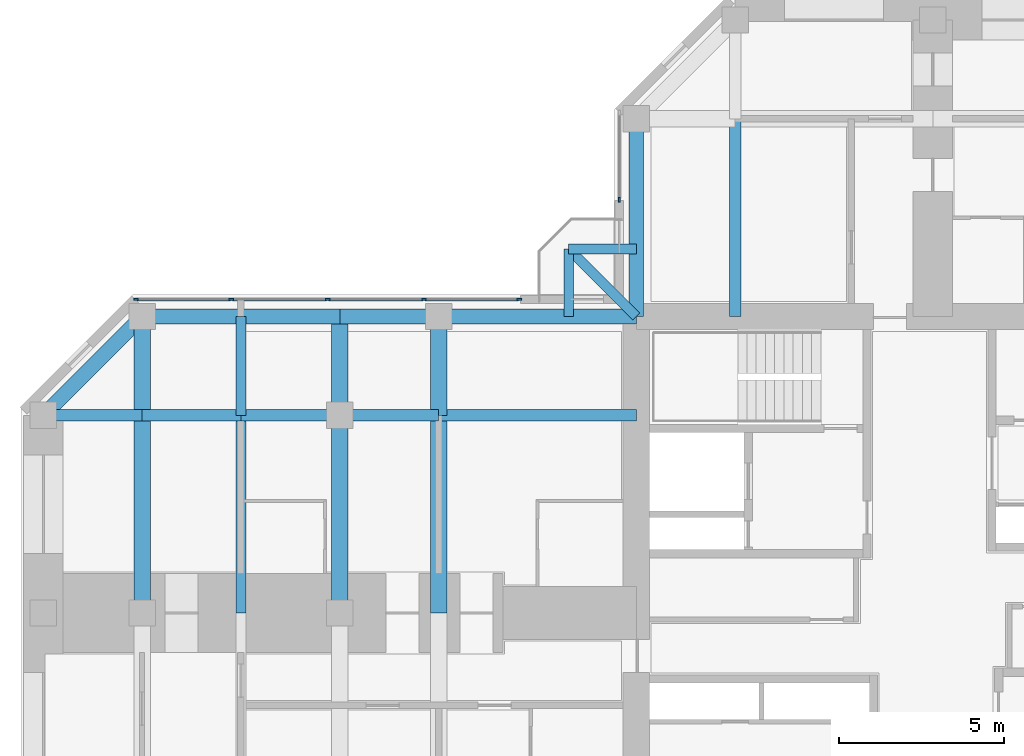
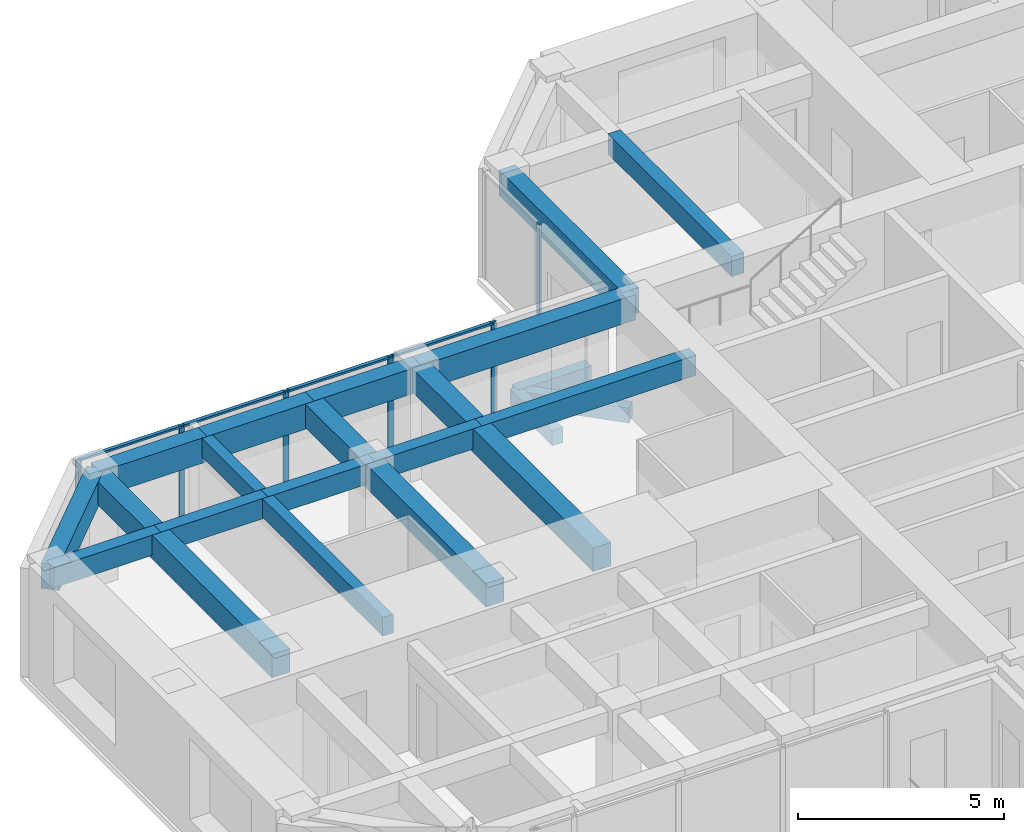
# One storey, part 4 of 13: 23 beams, 10 members, 2 elements without a shape of their own.
"""IFC4 building model written with IfcOpenShell, lengths in metres."""

from ifc_helpers import new_model, si_unit, direction, frame, origin, origin_2d, place, context, subcontext, project, spatial, rectangle, extrude, material, material_profile, profile_set, type_object, element, aggregate, save


model = new_model("IFC4")

# Units and contexts
model_context = context("Model", 3, precision=1e-05, world=origin(), true_north=direction((0.0, 1.0)))
body_context = subcontext(model_context, "Body", "Model", "MODEL_VIEW")
ifc_project = project(units=[si_unit("LENGTHUNIT", "METRE"), si_unit("AREAUNIT", "SQUARE_METRE"), si_unit("VOLUMEUNIT", "CUBIC_METRE"), si_unit("PLANEANGLEUNIT", "RADIAN"), si_unit("MASSUNIT", "GRAM", prefix="KILO")], contexts=[model_context])

# Site, building, storey
site_placement = place(None, origin())
site = spatial("IfcSite", under=ifc_project, at=site_placement, CompositionType="ELEMENT")
building_placement = place(site_placement, origin())
building = spatial("IfcBuilding", under=site, at=building_placement, Name="Torre Cruceta", CompositionType="ELEMENT")
storey_placement = place(building_placement, frame((0.0, 0.0, 245.89990234375)))
storey = spatial("IfcBuildingStorey", under=building, at=storey_placement, Name="L63", CompositionType="ELEMENT", Elevation=245.89990234375)

# Beams
ifc_material_1 = material(Name="Concrete G60 (fck 60 MPa)", Category="concrete")
ifc_material_profile_1 = material_profile(ifc_material_1, rectangle(XDim=0.300048828125, YDim=0.449951171875, at=origin_2d()), Name="RC 300X450")
ifc_profile_set_1 = profile_set([ifc_material_profile_1], Name="Concrete G60 (fck 60 MPa)")
beam_type_1 = type_object("IfcBeamType", Name="BALCONY CANTILEVER BEAM RC 300X450", PredefinedType="BEAM", material=ifc_profile_set_1)
beam_1_placement = place(storey_placement, frame((-9.0, 9.0, -0.40478515625), z_axis=(-0.707106781187, 0.707106781187, 0.0), x_axis=(-0.707106781187, -0.707106781187, 0.0)))
element("IfcBeam", 1, at=beam_1_placement, inside=storey, type_object=beam_type_1, Name="BB1 balcony beam L63 N", PredefinedType="BEAM", context=body_context, shape_type="SweptSolid", body=[
    extrude(rectangle(XDim=0.300048828125, YDim=0.449951171875, at=origin_2d()), origin(), (0.0, 0.0, 1.0), 2.89990234375),
])
for number, where, z_axis, x_axis, name in (
    (2, (-11.050537109375, 9.0, -0.40478515625), (0.0, 1.0, 0.0), (-1.0, 0.0, 0.0), "BB1 balcony edge beam L63 N-X"),
    (3, (-9.0, 11.050537109375, -0.40478515625), (-1.0, 0.0, 0.0), (0.0, -1.0, 0.0), "BB1 balcony edge beam L63 N-Y"),
):
    element("IfcBeam", number, at=place(storey_placement, frame(where, z_axis=z_axis, x_axis=x_axis)), inside=storey, type_object=beam_type_1, Name=name, PredefinedType="BEAM", context=body_context, shape_type="SweptSolid", body=[
        extrude(rectangle(XDim=0.300048828125, YDim=0.449951171875, at=origin_2d()), origin(), (0.0, 0.0, 1.0), 2.050537109375),
    ])
ifc_material_2 = material(Name="Concrete G60 (fck 60 MPa)", Category="concrete")
ifc_material_profile_2 = material_profile(ifc_material_2, rectangle(XDim=0.35009765625, YDim=0.60009765625, at=origin_2d()), Name="RC 350X600")
ifc_profile_set_2 = profile_set([ifc_material_profile_2], Name="Concrete G60 (fck 60 MPa)")
beam_type_2 = type_object("IfcBeamType", Name="COLUMN LINE BEAM RC 350X600", PredefinedType="BEAM", material=ifc_profile_set_2)
for number, where, z_axis, x_axis, name in (
    (4, (-6.0, 9.0, 2.920166015625), (0.0, 1.0, 0.0), (-1.0, 0.0, 0.0), "LB9 L63 N col+ 1"),
    (5, (-9.0, 6.0, 2.920166015625), (-1.0, 0.0, 0.0), (0.0, -1.0, 0.0), "LB9 L63 W col- 1"),
):
    element("IfcBeam", number, at=place(storey_placement, frame(where, z_axis=z_axis, x_axis=x_axis)), inside=storey, type_object=beam_type_2, Name=name, PredefinedType="BEAM", context=body_context, shape_type="SweptSolid", body=[
        extrude(rectangle(XDim=0.35009765625, YDim=0.60009765625, at=origin_2d()), origin(), (0.0, 0.0, 1.0), 6.0),
    ])
for number, where, z_axis, x_axis, name in (
    (6, (-15.0, 6.0, 2.920166015625), (-1.0, 0.0, 0.0), (0.0, -1.0, 0.0), "LB9 L63 W col- 2"),
    (7, (-18.0, 6.0, 2.920166015625), (-1.0, 0.0, 0.0), (0.0, -1.0, 0.0), "LB9 L63 W col- 3"),
    (8, (-21.0, 6.0, 2.920166015625), (-1.0, 0.0, 0.0), (0.0, -1.0, 0.0), "LB9 L63 W col- 4"),
    (9, (-24.0, 6.0, 2.920166015625), (-1.0, 0.0, 0.0), (0.0, -1.0, 0.0), "LB9 L63 W col- 5"),
):
    element("IfcBeam", number, at=place(storey_placement, frame(where, z_axis=z_axis, x_axis=x_axis)), inside=storey, type_object=beam_type_2, Name=name, PredefinedType="BEAM", context=body_context, shape_type="SweptSolid", body=[
        extrude(rectangle(XDim=0.35009765625, YDim=0.60009765625, at=origin_2d()), origin(), (0.0, 0.0, 1.0), 3.0),
    ])
ifc_material_3 = material(Name="Concrete G60 (fck 60 MPa)", Category="concrete")
ifc_material_profile_3 = material_profile(ifc_material_3, rectangle(XDim=0.5, YDim=0.699951171875, at=origin_2d()), Name="RC 500X700")
ifc_profile_set_3 = profile_set([ifc_material_profile_3], Name="Concrete G60 (fck 60 MPa)")
beam_type_3 = type_object("IfcBeamType", Name="CROSS BEAM RC 500X700", PredefinedType="BEAM", material=ifc_profile_set_3)
beam_2_placement = place(storey_placement, frame((-15.0, 9.0, 2.8701171875), z_axis=(0.0, -1.0, 0.0), x_axis=(1.0, 0.0, 0.0)))
element("IfcBeam", 10, at=beam_2_placement, inside=storey, type_object=beam_type_3, Name="GB7 L63 W cross15 1", PredefinedType="BEAM", context=body_context, shape_type="SweptSolid", body=[
    extrude(rectangle(XDim=0.5, YDim=0.699951171875, at=origin_2d()), origin(), (0.0, 0.0, 1.0), 3.0),
])
beam_3_placement = place(storey_placement, frame((-15.0, 6.0, 2.8701171875), z_axis=(0.0, -1.0, 0.0), x_axis=(1.0, 0.0, 0.0)))
element("IfcBeam", 11, at=beam_3_placement, inside=storey, type_object=beam_type_3, Name="GB7 L63 W cross15 2", PredefinedType="BEAM", context=body_context, shape_type="SweptSolid", body=[
    extrude(rectangle(XDim=0.5, YDim=0.699951171875, at=origin_2d()), origin(), (0.0, 0.0, 1.0), 6.0),
])
beam_4_placement = place(storey_placement, frame((-18.0, 9.0, 2.8701171875), z_axis=(0.0, -1.0, 0.0), x_axis=(1.0, 0.0, 0.0)))
element("IfcBeam", 12, at=beam_4_placement, inside=storey, type_object=beam_type_3, Name="GB7 L63 W cross18 1", PredefinedType="BEAM", context=body_context, shape_type="SweptSolid", body=[
    extrude(rectangle(XDim=0.5, YDim=0.699951171875, at=origin_2d()), origin(), (0.0, 0.0, 1.0), 3.0),
])
beam_5_placement = place(storey_placement, frame((-18.0, 6.0, 2.8701171875), z_axis=(0.0, -1.0, 0.0), x_axis=(1.0, 0.0, 0.0)))
element("IfcBeam", 13, at=beam_5_placement, inside=storey, type_object=beam_type_3, Name="GB7 L63 W cross18 2", PredefinedType="BEAM", context=body_context, shape_type="SweptSolid", body=[
    extrude(rectangle(XDim=0.5, YDim=0.699951171875, at=origin_2d()), origin(), (0.0, 0.0, 1.0), 6.0),
])
beam_6_placement = place(storey_placement, frame((-24.0, 9.0, 2.8701171875), z_axis=(0.0, -1.0, 0.0), x_axis=(1.0, 0.0, 0.0)))
element("IfcBeam", 14, at=beam_6_placement, inside=storey, type_object=beam_type_3, Name="GB7 L63 W cross24 1", PredefinedType="BEAM", context=body_context, shape_type="SweptSolid", body=[
    extrude(rectangle(XDim=0.5, YDim=0.699951171875, at=origin_2d()), origin(), (0.0, 0.0, 1.0), 3.0),
])
beam_7_placement = place(storey_placement, frame((-24.0, 6.0, 2.8701171875), z_axis=(0.0, -1.0, 0.0), x_axis=(1.0, 0.0, 0.0)))
element("IfcBeam", 15, at=beam_7_placement, inside=storey, type_object=beam_type_3, Name="GB7 L63 W cross24 2", PredefinedType="BEAM", context=body_context, shape_type="SweptSolid", body=[
    extrude(rectangle(XDim=0.5, YDim=0.699951171875, at=origin_2d()), origin(), (0.0, 0.0, 1.0), 6.0),
])

# Curtain wall, member
ifc_material_4 = material(Name="Aluminium unitised curtain wall", Category="aluminium")
curtain_wall_type = type_object("IfcCurtainWallType", Name="CURTAIN WALL CW-D CO-LIVING UPPER", PredefinedType="USERDEFINED", material=ifc_material_4)
curtain_wall_1_placement = place(storey_placement, origin())
curtain_wall_1 = element("IfcCurtainWall", 16, at=curtain_wall_1_placement, inside=storey, type_object=curtain_wall_type, Name="CW-D L63 N side 09", ObjectType="UNITISED", PredefinedType="USERDEFINED")
ifc_material_5 = material(Name="Aluminium mullion", Category="aluminium")
ifc_material_profile_4 = material_profile(ifc_material_5, rectangle(XDim=0.06005859375, YDim=0.14990234375, at=origin_2d()), Name="AL 60X150")
ifc_profile_set_4 = profile_set([ifc_material_profile_4], Name="Aluminium mullion")
member_type_1 = type_object("IfcMemberType", Name="CW-D MULLION 60X150", PredefinedType="MULLION", material=ifc_profile_set_4)
member_1_placement = place(storey_placement, frame((-9.52001953125, 12.550048828125, 0.0), z_axis=(0.0, 0.0, 1.0), x_axis=(1.0, 0.0, 0.0)))
member_1 = element("IfcMember", 17, at=member_1_placement, type_object=member_type_1, Name="CW-D mullion 2", PredefinedType="MULLION", context=body_context, shape_type="SweptSolid", body=[
    extrude(rectangle(XDim=0.06005859375, YDim=0.14990234375, at=origin_2d()), origin(), (0.0, 0.0, 1.0), 3.22021484375),
])
aggregate(curtain_wall_1, [member_1])

# Curtain wall, members
curtain_wall_2_placement = place(storey_placement, origin())
curtain_wall_2 = element("IfcCurtainWall", 18, at=curtain_wall_2_placement, inside=storey, type_object=curtain_wall_type, Name="CW-D L63 W side 10", ObjectType="UNITISED", PredefinedType="USERDEFINED")
member_2_placement = place(storey_placement, frame((-12.550048828125, 9.52001953125, 0.0), z_axis=(0.0, 0.0, 1.0), x_axis=(0.0, -1.0, 0.0)))
member_2 = element("IfcMember", 19, at=member_2_placement, type_object=member_type_1, Name="CW-D mullion 1", PredefinedType="MULLION", context=body_context, shape_type="SweptSolid", body=[
    extrude(rectangle(XDim=0.06005859375, YDim=0.14990234375, at=origin_2d()), origin(), (0.0, 0.0, 1.0), 3.22021484375),
])
member_3_placement = place(storey_placement, frame((-15.44384765625, 9.52001953125, 0.0), z_axis=(0.0, 0.0, 1.0), x_axis=(0.0, -1.0, 0.0)))
member_3 = element("IfcMember", 20, at=member_3_placement, type_object=member_type_1, Name="CW-D mullion 2", PredefinedType="MULLION", context=body_context, shape_type="SweptSolid", body=[
    extrude(rectangle(XDim=0.06005859375, YDim=0.14990234375, at=origin_2d()), origin(), (0.0, 0.0, 1.0), 3.22021484375),
])
member_4_placement = place(storey_placement, frame((-18.36767578125, 9.52001953125, 0.0), z_axis=(0.0, 0.0, 1.0), x_axis=(0.0, -1.0, 0.0)))
member_4 = element("IfcMember", 21, at=member_4_placement, type_object=member_type_1, Name="CW-D mullion 3", PredefinedType="MULLION", context=body_context, shape_type="SweptSolid", body=[
    extrude(rectangle(XDim=0.06005859375, YDim=0.14990234375, at=origin_2d()), origin(), (0.0, 0.0, 1.0), 3.22021484375),
])
member_5_placement = place(storey_placement, frame((-21.29150390625, 9.52001953125, 0.0), z_axis=(0.0, 0.0, 1.0), x_axis=(0.0, -1.0, 0.0)))
member_5 = element("IfcMember", 22, at=member_5_placement, type_object=member_type_1, Name="CW-D mullion 4", PredefinedType="MULLION", context=body_context, shape_type="SweptSolid", body=[
    extrude(rectangle(XDim=0.06005859375, YDim=0.14990234375, at=origin_2d()), origin(), (0.0, 0.0, 1.0), 3.22021484375),
])
member_6_placement = place(storey_placement, frame((-24.185302734375, 9.52001953125, 0.0), z_axis=(0.0, 0.0, 1.0), x_axis=(0.0, -1.0, 0.0)))
member_6 = element("IfcMember", 23, at=member_6_placement, type_object=member_type_1, Name="CW-D mullion 5", PredefinedType="MULLION", context=body_context, shape_type="SweptSolid", body=[
    extrude(rectangle(XDim=0.06005859375, YDim=0.14990234375, at=origin_2d()), origin(), (0.0, 0.0, 1.0), 3.22021484375),
])
ifc_material_6 = material(Name="Aluminium transom", Category="aluminium")
ifc_material_profile_5 = material_profile(ifc_material_6, rectangle(XDim=0.10009765625, YDim=0.06005859375, at=origin_2d()), Name="AL 100X60")
ifc_profile_set_5 = profile_set([ifc_material_profile_5], Name="Aluminium transom")
member_type_2 = type_object("IfcMemberType", Name="CW-D TRANSOM 60X100", PredefinedType="USERDEFINED", material=ifc_profile_set_5)
member_7_placement = place(storey_placement, frame((-12.580078125, 9.52001953125, 3.190185546875), z_axis=(-1.0, 0.0, 0.0), x_axis=(0.0, -1.0, 0.0)))
member_7 = element("IfcMember", 24, at=member_7_placement, type_object=member_type_2, Name="CW-D transom 1", ObjectType="TRANSOM", PredefinedType="USERDEFINED", context=body_context, shape_type="SweptSolid", body=[
    extrude(rectangle(XDim=0.10009765625, YDim=0.06005859375, at=origin_2d()), origin(), (0.0, 0.0, 1.0), 2.833740234375),
])
member_8_placement = place(storey_placement, frame((-15.473876953125, 9.52001953125, 3.190185546875), z_axis=(-1.0, 0.0, 0.0), x_axis=(0.0, -1.0, 0.0)))
member_8 = element("IfcMember", 25, at=member_8_placement, type_object=member_type_2, Name="CW-D transom 2", ObjectType="TRANSOM", PredefinedType="USERDEFINED", context=body_context, shape_type="SweptSolid", body=[
    extrude(rectangle(XDim=0.10009765625, YDim=0.06005859375, at=origin_2d()), origin(), (0.0, 0.0, 1.0), 2.86376953125),
])
member_9_placement = place(storey_placement, frame((-18.397705078125, 9.52001953125, 3.190185546875), z_axis=(-1.0, 0.0, 0.0), x_axis=(0.0, -1.0, 0.0)))
member_9 = element("IfcMember", 26, at=member_9_placement, type_object=member_type_2, Name="CW-D transom 3", ObjectType="TRANSOM", PredefinedType="USERDEFINED", context=body_context, shape_type="SweptSolid", body=[
    extrude(rectangle(XDim=0.10009765625, YDim=0.06005859375, at=origin_2d()), origin(), (0.0, 0.0, 1.0), 2.86376953125),
])
member_10_placement = place(storey_placement, frame((-21.321533203125, 9.52001953125, 3.190185546875), z_axis=(-1.0, 0.0, 0.0), x_axis=(0.0, -1.0, 0.0)))
member_10 = element("IfcMember", 27, at=member_10_placement, type_object=member_type_2, Name="CW-D transom 4", ObjectType="TRANSOM", PredefinedType="USERDEFINED", context=body_context, shape_type="SweptSolid", body=[
    extrude(rectangle(XDim=0.10009765625, YDim=0.06005859375, at=origin_2d()), origin(), (0.0, 0.0, 1.0), 2.833740234375),
])
aggregate(curtain_wall_2, [member_2, member_3, member_4, member_5, member_6, member_7, member_8, member_9, member_10])

# Beams
ifc_material_7 = material(Name="Concrete G60 (fck 60 MPa)", Category="concrete")
ifc_material_profile_6 = material_profile(ifc_material_7, rectangle(XDim=0.300048828125, YDim=0.550048828125, at=origin_2d()), Name="RC 300X550")
ifc_profile_set_6 = profile_set([ifc_material_profile_6], Name="Concrete G60 (fck 60 MPa)")
beam_type_4 = type_object("IfcBeamType", Name="SECONDARY BEAM RC 300X550", PredefinedType="JOIST", material=ifc_profile_set_6)
beam_8_placement = place(storey_placement, frame((-21.0, 9.0, 2.945068359375), z_axis=(0.0, -1.0, 0.0), x_axis=(1.0, 0.0, 0.0)))
element("IfcBeam", 28, at=beam_8_placement, inside=storey, type_object=beam_type_4, Name="JB7 L63 W sec21 1", PredefinedType="JOIST", context=body_context, shape_type="SweptSolid", body=[
    extrude(rectangle(XDim=0.300048828125, YDim=0.550048828125, at=origin_2d()), origin(), (0.0, 0.0, 1.0), 3.0),
])
beam_9_placement = place(storey_placement, frame((-21.0, 6.0, 2.945068359375), z_axis=(0.0, -1.0, 0.0), x_axis=(1.0, 0.0, 0.0)))
element("IfcBeam", 29, at=beam_9_placement, inside=storey, type_object=beam_type_4, Name="JB7 L63 W sec21 2", PredefinedType="JOIST", context=body_context, shape_type="SweptSolid", body=[
    extrude(rectangle(XDim=0.300048828125, YDim=0.550048828125, at=origin_2d()), origin(), (0.0, 0.0, 1.0), 6.0),
])
ifc_material_8 = material(Name="Concrete G60 (fck 60 MPa)", Category="concrete")
ifc_material_profile_7 = material_profile(ifc_material_8, rectangle(XDim=0.449951171875, YDim=0.75, at=origin_2d()), Name="RC 450X750")
ifc_profile_set_7 = profile_set([ifc_material_profile_7], Name="Concrete G60 (fck 60 MPa)")
beam_type_5 = type_object("IfcBeamType", Name="SPANDREL BEAM RC 450X750", PredefinedType="SPANDREL", material=ifc_profile_set_7)
for number, where, z_axis, x_axis, name in (
    (30, (-9.0, 9.0, 2.84521484375), (0.0, 1.0, 0.0), (-1.0, 0.0, 0.0), "SB7 L63 N side+ 1"),
    (31, (-9.0, 9.0, 2.84521484375), (-1.0, 0.0, 0.0), (0.0, -1.0, 0.0), "SB7 L63 W side- 1"),
):
    element("IfcBeam", number, at=place(storey_placement, frame(where, z_axis=z_axis, x_axis=x_axis)), inside=storey, type_object=beam_type_5, Name=name, PredefinedType="SPANDREL", context=body_context, shape_type="SweptSolid", body=[
        extrude(rectangle(XDim=0.449951171875, YDim=0.75, at=origin_2d()), origin(), (0.0, 0.0, 1.0), 6.0),
    ])
for number, where, z_axis, x_axis, name in (
    (32, (-15.0, 9.0, 2.84521484375), (-1.0, 0.0, 0.0), (0.0, -1.0, 0.0), "SB7 L63 W side- 2"),
    (33, (-18.0, 9.0, 2.84521484375), (-1.0, 0.0, 0.0), (0.0, -1.0, 0.0), "SB7 L63 W side- 3"),
    (34, (-21.0, 9.0, 2.84521484375), (-1.0, 0.0, 0.0), (0.0, -1.0, 0.0), "SB7 L63 W side- 4"),
):
    element("IfcBeam", number, at=place(storey_placement, frame(where, z_axis=z_axis, x_axis=x_axis)), inside=storey, type_object=beam_type_5, Name=name, PredefinedType="SPANDREL", context=body_context, shape_type="SweptSolid", body=[
        extrude(rectangle(XDim=0.449951171875, YDim=0.75, at=origin_2d()), origin(), (0.0, 0.0, 1.0), 3.0),
    ])
beam_10_placement = place(storey_placement, frame((-24.0, 9.0, 2.84521484375), z_axis=(-0.707106781187, -0.707106781187, 0.0), x_axis=(0.707106781187, -0.707106781187, 0.0)))
element("IfcBeam", 35, at=beam_10_placement, inside=storey, type_object=beam_type_5, Name="SB7 L63 W side- 5", PredefinedType="SPANDREL", context=body_context, shape_type="SweptSolid", body=[
    extrude(rectangle(XDim=0.449951171875, YDim=0.75, at=origin_2d()), origin(), (0.0, 0.0, 1.0), 4.24267578125),
])

save(model, "model.ifc")
